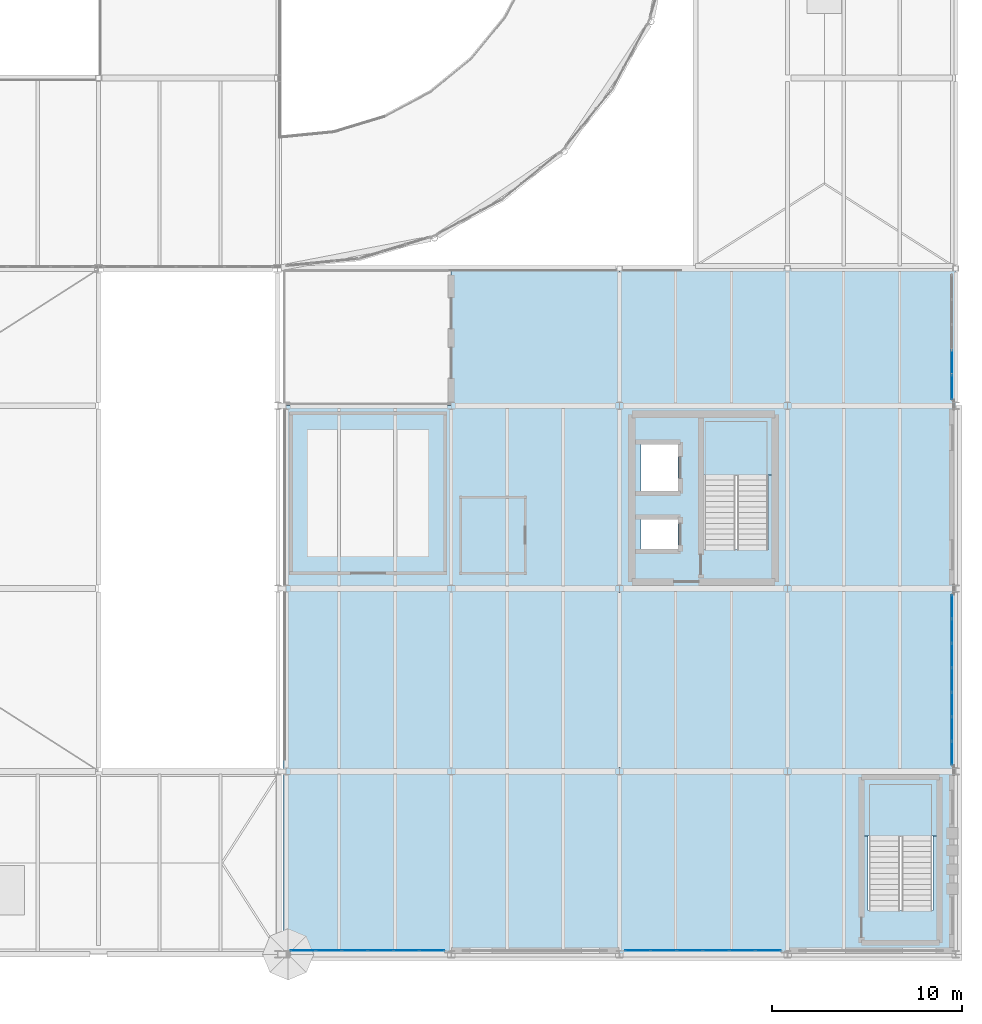
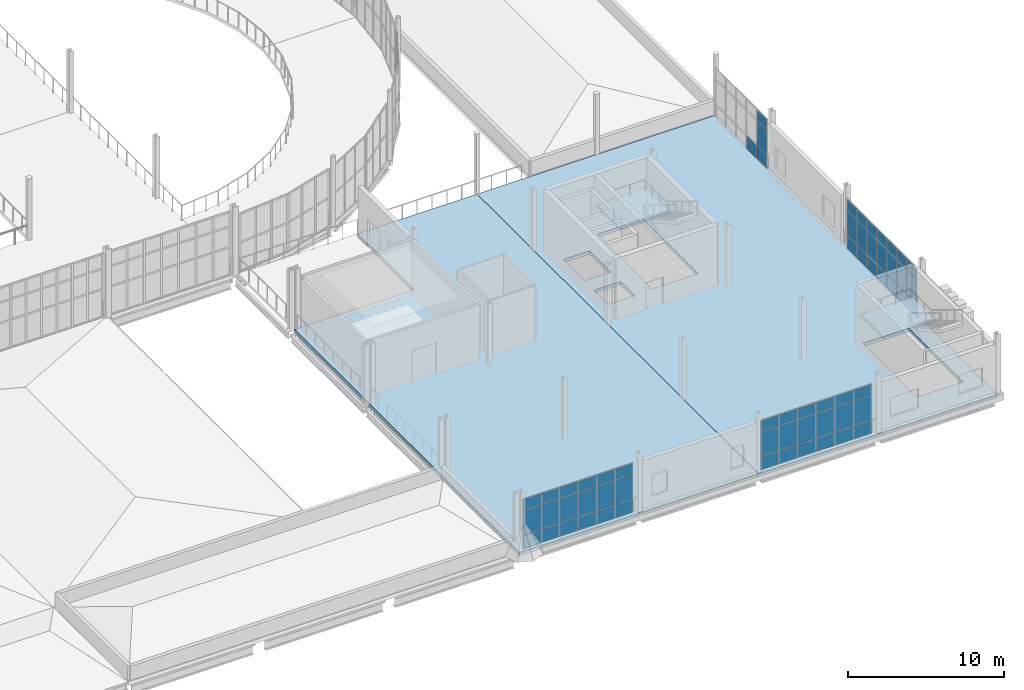
# One storey, part 83 of 112: 61 plates, 4 slabs, 6 elements without a shape of their own.
"""IFC4 building model written with IfcOpenShell, lengths in metres."""

from ifc_helpers import new_model, si_unit, direction, frame, origin, origin_2d, place, context, subcontext, project, spatial, polyline, rectangle, outline, extrude, material, layer, layer_set, type_object, element, aggregate, save


model = new_model("IFC4")

# Units and contexts
model_context = context("Model", 3, precision=1e-05, world=origin(), true_north=direction((0.0, 1.0)))
body_context = subcontext(model_context, "Body", "Model", "MODEL_VIEW")
ifc_project = project(units=[si_unit("LENGTHUNIT", "METRE"), si_unit("AREAUNIT", "SQUARE_METRE"), si_unit("VOLUMEUNIT", "CUBIC_METRE"), si_unit("PLANEANGLEUNIT", "RADIAN"), si_unit("MASSUNIT", "GRAM", prefix="KILO")], contexts=[model_context])

# Site, building, storey
site_placement = place(None, origin())
site = spatial("IfcSite", under=ifc_project, at=site_placement, CompositionType="ELEMENT")
building_placement = place(site_placement, origin())
building = spatial("IfcBuilding", under=site, at=building_placement, Name="Yeouljin Market Hall", CompositionType="ELEMENT")
storey_placement = place(building_placement, frame((0.0, 0.0, 6.0)))
storey = spatial("IfcBuildingStorey", under=building, at=storey_placement, Name="L01", CompositionType="ELEMENT", Elevation=6.0)

# Curtain wall, plates
ifc_material_1 = material(Name="Thermally Broken Aluminium", Category="aluminium")
ifc_layer_1 = layer(ifc_material_1, 0.14990234375)
ifc_layer_set_1 = layer_set([ifc_layer_1], Name="Thermally Broken Aluminium")
curtain_wall_type = type_object("IfcCurtainWallType", Name="CW_AcademyRibbon_System", PredefinedType="USERDEFINED", material=ifc_layer_set_1)
curtain_wall_1_placement = place(storey_placement, origin())
curtain_wall_1 = element("IfcCurtainWall", 1, at=curtain_wall_1_placement, inside=storey, type_object=curtain_wall_type, Name="Curtain wall CW-L01-W12", ObjectType="CURTAIN WALL", PredefinedType="USERDEFINED")
ifc_material_2 = material(Name="Anodised Bronze Spandrel Panel")
ifc_layer_2 = layer(ifc_material_2, 0.0439453125)
ifc_layer_set_2 = layer_set([ifc_layer_2], Name="Anodised Bronze Spandrel Panel")
plate_type_1 = type_object("IfcPlateType", Name="CWPanel_BronzeSpandrel_44", PredefinedType="CURTAIN_PANEL", material=ifc_layer_set_2)
plate_1_placement = place(storey_placement, frame((148.908935546875, 0.199951171875, 0.0478515625), z_axis=(0.0, 0.0, 1.0), x_axis=(-1.0, 0.0, 0.0)))
plate_1 = element("IfcPlate", 2, at=plate_1_placement, type_object=plate_type_1, Name="CW-05 panel 1.1", PredefinedType="CURTAIN_PANEL", context=body_context, shape_type="SweptSolid", body=[
    extrude(rectangle(XDim=1.286376953125, YDim=0.0439453125, at=origin_2d()), origin(), (0.0, 0.0, 1.0), 1.028076171875),
])
plate_2_placement = place(storey_placement, frame((148.908935546875, 0.199951171875, 1.1240234375), z_axis=(0.0, 0.0, 1.0), x_axis=(-1.0, 0.0, 0.0)))
plate_2 = element("IfcPlate", 3, at=plate_2_placement, type_object=plate_type_1, Name="CW-05 panel 1.2", PredefinedType="CURTAIN_PANEL", context=body_context, shape_type="SweptSolid", body=[
    extrude(rectangle(XDim=1.286376953125, YDim=0.0439453125, at=origin_2d()), origin(), (0.0, 0.0, 1.0), 1.902099609375),
])
plate_3_placement = place(storey_placement, frame((148.908935546875, 0.199951171875, 3.07421875), z_axis=(0.0, 0.0, 1.0), x_axis=(-1.0, 0.0, 0.0)))
plate_3 = element("IfcPlate", 4, at=plate_3_placement, type_object=plate_type_1, Name="CW-05 panel 1.3", PredefinedType="CURTAIN_PANEL", context=body_context, shape_type="SweptSolid", body=[
    extrude(rectangle(XDim=1.286376953125, YDim=0.0439453125, at=origin_2d()), origin(), (0.0, 0.0, 1.0), 0.827880859375),
])
plate_4_placement = place(storey_placement, frame((147.5625, 0.199951171875, 0.0478515625), z_axis=(0.0, 0.0, 1.0), x_axis=(-1.0, 0.0, 0.0)))
plate_4 = element("IfcPlate", 5, at=plate_4_placement, type_object=plate_type_1, Name="CW-05 panel 2.1", PredefinedType="CURTAIN_PANEL", context=body_context, shape_type="SweptSolid", body=[
    extrude(rectangle(XDim=1.310302734375, YDim=0.0439453125, at=origin_2d()), origin(), (0.0, 0.0, 1.0), 1.028076171875),
])
plate_5_placement = place(storey_placement, frame((147.5625, 0.199951171875, 1.1240234375), z_axis=(0.0, 0.0, 1.0), x_axis=(-1.0, 0.0, 0.0)))
plate_5 = element("IfcPlate", 6, at=plate_5_placement, type_object=plate_type_1, Name="CW-05 panel 2.2", PredefinedType="CURTAIN_PANEL", context=body_context, shape_type="SweptSolid", body=[
    extrude(rectangle(XDim=1.310302734375, YDim=0.0439453125, at=origin_2d()), origin(), (0.0, 0.0, 1.0), 1.902099609375),
])
plate_6_placement = place(storey_placement, frame((147.5625, 0.199951171875, 3.07421875), z_axis=(0.0, 0.0, 1.0), x_axis=(-1.0, 0.0, 0.0)))
plate_6 = element("IfcPlate", 7, at=plate_6_placement, type_object=plate_type_1, Name="CW-05 panel 2.3", PredefinedType="CURTAIN_PANEL", context=body_context, shape_type="SweptSolid", body=[
    extrude(rectangle(XDim=1.310302734375, YDim=0.0439453125, at=origin_2d()), origin(), (0.0, 0.0, 1.0), 0.827880859375),
])
plate_7_placement = place(storey_placement, frame((146.2041015625, 0.199951171875, 0.0478515625), z_axis=(0.0, 0.0, 1.0), x_axis=(-1.0, 0.0, 0.0)))
plate_7 = element("IfcPlate", 8, at=plate_7_placement, type_object=plate_type_1, Name="CW-05 panel 3.1", PredefinedType="CURTAIN_PANEL", context=body_context, shape_type="SweptSolid", body=[
    extrude(rectangle(XDim=1.310302734375, YDim=0.0439453125, at=origin_2d()), origin(), (0.0, 0.0, 1.0), 1.028076171875),
])
plate_8_placement = place(storey_placement, frame((146.2041015625, 0.199951171875, 1.1240234375), z_axis=(0.0, 0.0, 1.0), x_axis=(-1.0, 0.0, 0.0)))
plate_8 = element("IfcPlate", 9, at=plate_8_placement, type_object=plate_type_1, Name="CW-05 panel 3.2", PredefinedType="CURTAIN_PANEL", context=body_context, shape_type="SweptSolid", body=[
    extrude(rectangle(XDim=1.310302734375, YDim=0.0439453125, at=origin_2d()), origin(), (0.0, 0.0, 1.0), 1.902099609375),
])
plate_9_placement = place(storey_placement, frame((146.2041015625, 0.199951171875, 3.07421875), z_axis=(0.0, 0.0, 1.0), x_axis=(-1.0, 0.0, 0.0)))
plate_9 = element("IfcPlate", 10, at=plate_9_placement, type_object=plate_type_1, Name="CW-05 panel 3.3", PredefinedType="CURTAIN_PANEL", context=body_context, shape_type="SweptSolid", body=[
    extrude(rectangle(XDim=1.310302734375, YDim=0.0439453125, at=origin_2d()), origin(), (0.0, 0.0, 1.0), 0.827880859375),
])
plate_10_placement = place(storey_placement, frame((144.845947265625, 0.199951171875, 0.0478515625), z_axis=(0.0, 0.0, 1.0), x_axis=(-1.0, 0.0, 0.0)))
plate_10 = element("IfcPlate", 11, at=plate_10_placement, type_object=plate_type_1, Name="CW-05 panel 4.1", PredefinedType="CURTAIN_PANEL", context=body_context, shape_type="SweptSolid", body=[
    extrude(rectangle(XDim=1.310302734375, YDim=0.0439453125, at=origin_2d()), origin(), (0.0, 0.0, 1.0), 1.028076171875),
])
plate_11_placement = place(storey_placement, frame((144.845947265625, 0.199951171875, 1.1240234375), z_axis=(0.0, 0.0, 1.0), x_axis=(-1.0, 0.0, 0.0)))
plate_11 = element("IfcPlate", 12, at=plate_11_placement, type_object=plate_type_1, Name="CW-05 panel 4.2", PredefinedType="CURTAIN_PANEL", context=body_context, shape_type="SweptSolid", body=[
    extrude(rectangle(XDim=1.310302734375, YDim=0.0439453125, at=origin_2d()), origin(), (0.0, 0.0, 1.0), 1.902099609375),
])
plate_12_placement = place(storey_placement, frame((144.845947265625, 0.199951171875, 3.07421875), z_axis=(0.0, 0.0, 1.0), x_axis=(-1.0, 0.0, 0.0)))
plate_12 = element("IfcPlate", 13, at=plate_12_placement, type_object=plate_type_1, Name="CW-05 panel 4.3", PredefinedType="CURTAIN_PANEL", context=body_context, shape_type="SweptSolid", body=[
    extrude(rectangle(XDim=1.310302734375, YDim=0.0439453125, at=origin_2d()), origin(), (0.0, 0.0, 1.0), 0.827880859375),
])
plate_13_placement = place(storey_placement, frame((143.487548828125, 0.199951171875, 0.0478515625), z_axis=(0.0, 0.0, 1.0), x_axis=(-1.0, 0.0, 0.0)))
plate_13 = element("IfcPlate", 14, at=plate_13_placement, type_object=plate_type_1, Name="CW-05 panel 5.1", PredefinedType="CURTAIN_PANEL", context=body_context, shape_type="SweptSolid", body=[
    extrude(rectangle(XDim=1.310302734375, YDim=0.0439453125, at=origin_2d()), origin(), (0.0, 0.0, 1.0), 1.028076171875),
])
plate_14_placement = place(storey_placement, frame((143.487548828125, 0.199951171875, 1.1240234375), z_axis=(0.0, 0.0, 1.0), x_axis=(-1.0, 0.0, 0.0)))
plate_14 = element("IfcPlate", 15, at=plate_14_placement, type_object=plate_type_1, Name="CW-05 panel 5.2", PredefinedType="CURTAIN_PANEL", context=body_context, shape_type="SweptSolid", body=[
    extrude(rectangle(XDim=1.310302734375, YDim=0.0439453125, at=origin_2d()), origin(), (0.0, 0.0, 1.0), 1.902099609375),
])
plate_15_placement = place(storey_placement, frame((143.487548828125, 0.199951171875, 3.07421875), z_axis=(0.0, 0.0, 1.0), x_axis=(-1.0, 0.0, 0.0)))
plate_15 = element("IfcPlate", 16, at=plate_15_placement, type_object=plate_type_1, Name="CW-05 panel 5.3", PredefinedType="CURTAIN_PANEL", context=body_context, shape_type="SweptSolid", body=[
    extrude(rectangle(XDim=1.310302734375, YDim=0.0439453125, at=origin_2d()), origin(), (0.0, 0.0, 1.0), 0.827880859375),
])
plate_16_placement = place(storey_placement, frame((142.14111328125, 0.199951171875, 0.0478515625), z_axis=(0.0, 0.0, 1.0), x_axis=(-1.0, 0.0, 0.0)))
plate_16 = element("IfcPlate", 17, at=plate_16_placement, type_object=plate_type_1, Name="CW-05 panel 6.1", PredefinedType="CURTAIN_PANEL", context=body_context, shape_type="SweptSolid", body=[
    extrude(rectangle(XDim=1.286376953125, YDim=0.0439453125, at=origin_2d()), origin(), (0.0, 0.0, 1.0), 1.028076171875),
])
plate_17_placement = place(storey_placement, frame((142.14111328125, 0.199951171875, 1.1240234375), z_axis=(0.0, 0.0, 1.0), x_axis=(-1.0, 0.0, 0.0)))
plate_17 = element("IfcPlate", 18, at=plate_17_placement, type_object=plate_type_1, Name="CW-05 panel 6.2", PredefinedType="CURTAIN_PANEL", context=body_context, shape_type="SweptSolid", body=[
    extrude(rectangle(XDim=1.286376953125, YDim=0.0439453125, at=origin_2d()), origin(), (0.0, 0.0, 1.0), 1.902099609375),
])
plate_18_placement = place(storey_placement, frame((142.14111328125, 0.199951171875, 3.07421875), z_axis=(0.0, 0.0, 1.0), x_axis=(-1.0, 0.0, 0.0)))
plate_18 = element("IfcPlate", 19, at=plate_18_placement, type_object=plate_type_1, Name="CW-05 panel 6.3", PredefinedType="CURTAIN_PANEL", context=body_context, shape_type="SweptSolid", body=[
    extrude(rectangle(XDim=1.286376953125, YDim=0.0439453125, at=origin_2d()), origin(), (0.0, 0.0, 1.0), 0.827880859375),
])
aggregate(curtain_wall_1, [plate_1, plate_2, plate_3, plate_4, plate_5, plate_6, plate_7, plate_8, plate_9, plate_10, plate_11, plate_12, plate_13, plate_14, plate_15, plate_16, plate_17, plate_18])

curtain_wall_2_placement = place(storey_placement, origin())
curtain_wall_2 = element("IfcCurtainWall", 20, at=curtain_wall_2_placement, inside=storey, type_object=curtain_wall_type, Name="Curtain wall CW-L01-W10", ObjectType="CURTAIN WALL", PredefinedType="USERDEFINED")
ifc_material_3 = material(Name="Low-E Insulated Glass", Category="glass")
ifc_layer_3 = layer(ifc_material_3, 0.028076171875)
ifc_layer_set_3 = layer_set([ifc_layer_3], Name="Low-E Insulated Glass")
plate_type_2 = type_object("IfcPlateType", Name="CWPanel_LowE_28", PredefinedType="CURTAIN_PANEL", material=ifc_layer_set_3)
plate_19_placement = place(storey_placement, frame((166.550537109375, 0.199951171875, 0.0478515625), z_axis=(0.0, 0.0, 1.0), x_axis=(-1.0, 0.0, 0.0)))
plate_19 = element("IfcPlate", 21, at=plate_19_placement, type_object=plate_type_2, Name="CW-05 panel 1.1", PredefinedType="CURTAIN_PANEL", context=body_context, shape_type="SweptSolid", body=[
    extrude(rectangle(XDim=1.302978515625, YDim=0.028076171875, at=origin_2d()), origin(), (0.0, 0.0, 1.0), 1.028076171875),
])
plate_20_placement = place(storey_placement, frame((166.550537109375, 0.199951171875, 1.1240234375), z_axis=(0.0, 0.0, 1.0), x_axis=(-1.0, 0.0, 0.0)))
plate_20 = element("IfcPlate", 22, at=plate_20_placement, type_object=plate_type_2, Name="CW-05 panel 1.2", PredefinedType="CURTAIN_PANEL", context=body_context, shape_type="SweptSolid", body=[
    extrude(rectangle(XDim=1.302978515625, YDim=0.028076171875, at=origin_2d()), origin(), (0.0, 0.0, 1.0), 1.902099609375),
])
plate_21_placement = place(storey_placement, frame((166.550537109375, 0.199951171875, 3.07421875), z_axis=(0.0, 0.0, 1.0), x_axis=(-1.0, 0.0, 0.0)))
plate_21 = element("IfcPlate", 23, at=plate_21_placement, type_object=plate_type_2, Name="CW-05 panel 1.3", PredefinedType="CURTAIN_PANEL", context=body_context, shape_type="SweptSolid", body=[
    extrude(rectangle(XDim=1.302978515625, YDim=0.028076171875, at=origin_2d()), origin(), (0.0, 0.0, 1.0), 0.827880859375),
])
plate_22_placement = place(storey_placement, frame((165.1875, 0.199951171875, 0.0478515625), z_axis=(0.0, 0.0, 1.0), x_axis=(-1.0, 0.0, 0.0)))
plate_22 = element("IfcPlate", 24, at=plate_22_placement, type_object=plate_type_2, Name="CW-05 panel 2.1", PredefinedType="CURTAIN_PANEL", context=body_context, shape_type="SweptSolid", body=[
    extrude(rectangle(XDim=1.326904296875, YDim=0.028076171875, at=origin_2d()), origin(), (0.0, 0.0, 1.0), 1.028076171875),
])
plate_23_placement = place(storey_placement, frame((165.1875, 0.199951171875, 1.1240234375), z_axis=(0.0, 0.0, 1.0), x_axis=(-1.0, 0.0, 0.0)))
plate_23 = element("IfcPlate", 25, at=plate_23_placement, type_object=plate_type_2, Name="CW-05 panel 2.2", PredefinedType="CURTAIN_PANEL", context=body_context, shape_type="SweptSolid", body=[
    extrude(rectangle(XDim=1.326904296875, YDim=0.028076171875, at=origin_2d()), origin(), (0.0, 0.0, 1.0), 1.902099609375),
])
plate_24_placement = place(storey_placement, frame((165.1875, 0.199951171875, 3.07421875), z_axis=(0.0, 0.0, 1.0), x_axis=(-1.0, 0.0, 0.0)))
plate_24 = element("IfcPlate", 26, at=plate_24_placement, type_object=plate_type_2, Name="CW-05 panel 2.3", PredefinedType="CURTAIN_PANEL", context=body_context, shape_type="SweptSolid", body=[
    extrude(rectangle(XDim=1.326904296875, YDim=0.028076171875, at=origin_2d()), origin(), (0.0, 0.0, 1.0), 0.827880859375),
])
plate_25_placement = place(storey_placement, frame((163.8125, 0.199951171875, 0.0478515625), z_axis=(0.0, 0.0, 1.0), x_axis=(-1.0, 0.0, 0.0)))
plate_25 = element("IfcPlate", 27, at=plate_25_placement, type_object=plate_type_2, Name="CW-05 panel 3.1", PredefinedType="CURTAIN_PANEL", context=body_context, shape_type="SweptSolid", body=[
    extrude(rectangle(XDim=1.326904296875, YDim=0.028076171875, at=origin_2d()), origin(), (0.0, 0.0, 1.0), 1.028076171875),
])
plate_26_placement = place(storey_placement, frame((163.8125, 0.199951171875, 1.1240234375), z_axis=(0.0, 0.0, 1.0), x_axis=(-1.0, 0.0, 0.0)))
plate_26 = element("IfcPlate", 28, at=plate_26_placement, type_object=plate_type_2, Name="CW-05 panel 3.2", PredefinedType="CURTAIN_PANEL", context=body_context, shape_type="SweptSolid", body=[
    extrude(rectangle(XDim=1.326904296875, YDim=0.028076171875, at=origin_2d()), origin(), (0.0, 0.0, 1.0), 1.902099609375),
])
plate_27_placement = place(storey_placement, frame((163.8125, 0.199951171875, 3.07421875), z_axis=(0.0, 0.0, 1.0), x_axis=(-1.0, 0.0, 0.0)))
plate_27 = element("IfcPlate", 29, at=plate_27_placement, type_object=plate_type_2, Name="CW-05 panel 3.3", PredefinedType="CURTAIN_PANEL", context=body_context, shape_type="SweptSolid", body=[
    extrude(rectangle(XDim=1.326904296875, YDim=0.028076171875, at=origin_2d()), origin(), (0.0, 0.0, 1.0), 0.827880859375),
])
plate_28_placement = place(storey_placement, frame((162.4375, 0.199951171875, 0.0478515625), z_axis=(0.0, 0.0, 1.0), x_axis=(-1.0, 0.0, 0.0)))
plate_28 = element("IfcPlate", 30, at=plate_28_placement, type_object=plate_type_2, Name="CW-05 panel 4.1", PredefinedType="CURTAIN_PANEL", context=body_context, shape_type="SweptSolid", body=[
    extrude(rectangle(XDim=1.326904296875, YDim=0.028076171875, at=origin_2d()), origin(), (0.0, 0.0, 1.0), 1.028076171875),
])
plate_29_placement = place(storey_placement, frame((162.4375, 0.199951171875, 1.1240234375), z_axis=(0.0, 0.0, 1.0), x_axis=(-1.0, 0.0, 0.0)))
plate_29 = element("IfcPlate", 31, at=plate_29_placement, type_object=plate_type_2, Name="CW-05 panel 4.2", PredefinedType="CURTAIN_PANEL", context=body_context, shape_type="SweptSolid", body=[
    extrude(rectangle(XDim=1.326904296875, YDim=0.028076171875, at=origin_2d()), origin(), (0.0, 0.0, 1.0), 1.902099609375),
])
plate_30_placement = place(storey_placement, frame((162.4375, 0.199951171875, 3.07421875), z_axis=(0.0, 0.0, 1.0), x_axis=(-1.0, 0.0, 0.0)))
plate_30 = element("IfcPlate", 32, at=plate_30_placement, type_object=plate_type_2, Name="CW-05 panel 4.3", PredefinedType="CURTAIN_PANEL", context=body_context, shape_type="SweptSolid", body=[
    extrude(rectangle(XDim=1.326904296875, YDim=0.028076171875, at=origin_2d()), origin(), (0.0, 0.0, 1.0), 0.827880859375),
])
plate_31_placement = place(storey_placement, frame((161.0625, 0.199951171875, 0.0478515625), z_axis=(0.0, 0.0, 1.0), x_axis=(-1.0, 0.0, 0.0)))
plate_31 = element("IfcPlate", 33, at=plate_31_placement, type_object=plate_type_2, Name="CW-05 panel 5.1", PredefinedType="CURTAIN_PANEL", context=body_context, shape_type="SweptSolid", body=[
    extrude(rectangle(XDim=1.326904296875, YDim=0.028076171875, at=origin_2d()), origin(), (0.0, 0.0, 1.0), 1.028076171875),
])
plate_32_placement = place(storey_placement, frame((161.0625, 0.199951171875, 1.1240234375), z_axis=(0.0, 0.0, 1.0), x_axis=(-1.0, 0.0, 0.0)))
plate_32 = element("IfcPlate", 34, at=plate_32_placement, type_object=plate_type_2, Name="CW-05 panel 5.2", PredefinedType="CURTAIN_PANEL", context=body_context, shape_type="SweptSolid", body=[
    extrude(rectangle(XDim=1.326904296875, YDim=0.028076171875, at=origin_2d()), origin(), (0.0, 0.0, 1.0), 1.902099609375),
])
plate_33_placement = place(storey_placement, frame((161.0625, 0.199951171875, 3.07421875), z_axis=(0.0, 0.0, 1.0), x_axis=(-1.0, 0.0, 0.0)))
plate_33 = element("IfcPlate", 35, at=plate_33_placement, type_object=plate_type_2, Name="CW-05 panel 5.3", PredefinedType="CURTAIN_PANEL", context=body_context, shape_type="SweptSolid", body=[
    extrude(rectangle(XDim=1.326904296875, YDim=0.028076171875, at=origin_2d()), origin(), (0.0, 0.0, 1.0), 0.827880859375),
])
plate_34_placement = place(storey_placement, frame((159.699462890625, 0.199951171875, 0.0478515625), z_axis=(0.0, 0.0, 1.0), x_axis=(-1.0, 0.0, 0.0)))
plate_34 = element("IfcPlate", 36, at=plate_34_placement, type_object=plate_type_2, Name="CW-05 panel 6.1", PredefinedType="CURTAIN_PANEL", context=body_context, shape_type="SweptSolid", body=[
    extrude(rectangle(XDim=1.302978515625, YDim=0.028076171875, at=origin_2d()), origin(), (0.0, 0.0, 1.0), 1.028076171875),
])
plate_35_placement = place(storey_placement, frame((159.699462890625, 0.199951171875, 1.1240234375), z_axis=(0.0, 0.0, 1.0), x_axis=(-1.0, 0.0, 0.0)))
plate_35 = element("IfcPlate", 37, at=plate_35_placement, type_object=plate_type_2, Name="CW-05 panel 6.2", PredefinedType="CURTAIN_PANEL", context=body_context, shape_type="SweptSolid", body=[
    extrude(rectangle(XDim=1.302978515625, YDim=0.028076171875, at=origin_2d()), origin(), (0.0, 0.0, 1.0), 1.902099609375),
])
plate_36_placement = place(storey_placement, frame((159.699462890625, 0.199951171875, 3.07421875), z_axis=(0.0, 0.0, 1.0), x_axis=(-1.0, 0.0, 0.0)))
plate_36 = element("IfcPlate", 38, at=plate_36_placement, type_object=plate_type_2, Name="CW-05 panel 6.3", PredefinedType="CURTAIN_PANEL", context=body_context, shape_type="SweptSolid", body=[
    extrude(rectangle(XDim=1.302978515625, YDim=0.028076171875, at=origin_2d()), origin(), (0.0, 0.0, 1.0), 0.827880859375),
])
aggregate(curtain_wall_2, [plate_19, plate_20, plate_21, plate_22, plate_23, plate_24, plate_25, plate_26, plate_27, plate_28, plate_29, plate_30, plate_31, plate_32, plate_33, plate_34, plate_35, plate_36])

curtain_wall_3_placement = place(storey_placement, origin())
curtain_wall_3 = element("IfcCurtainWall", 39, at=curtain_wall_3_placement, inside=storey, type_object=curtain_wall_type, Name="Curtain wall CW-L01-W13", ObjectType="CURTAIN WALL", PredefinedType="USERDEFINED")
plate_37_placement = place(storey_placement, frame((176.199951171875, 31.080078125, 0.0478515625), z_axis=(0.0, 0.0, 1.0), x_axis=(0.0, -1.0, 0.0)))
plate_37 = element("IfcPlate", 40, at=plate_37_placement, type_object=plate_type_2, Name="CW-05 panel 4.1", PredefinedType="CURTAIN_PANEL", context=body_context, shape_type="SweptSolid", body=[
    extrude(rectangle(XDim=1.27197265625, YDim=0.028076171875, at=origin_2d()), origin(), (0.0, 0.0, 1.0), 1.028076171875),
])
plate_38_placement = place(storey_placement, frame((176.199951171875, 29.77197265625, 0.0478515625), z_axis=(0.0, 0.0, 1.0), x_axis=(0.0, -1.0, 0.0)))
plate_38 = element("IfcPlate", 41, at=plate_38_placement, type_object=plate_type_2, Name="CW-05 panel 5.1", PredefinedType="CURTAIN_PANEL", context=body_context, shape_type="SweptSolid", body=[
    extrude(rectangle(XDim=1.248046875, YDim=0.028076171875, at=origin_2d()), origin(), (0.0, 0.0, 1.0), 1.028076171875),
])
plate_39_placement = place(storey_placement, frame((176.199951171875, 29.77197265625, 1.1240234375), z_axis=(0.0, 0.0, 1.0), x_axis=(0.0, -1.0, 0.0)))
plate_39 = element("IfcPlate", 42, at=plate_39_placement, type_object=plate_type_2, Name="CW-05 panel 5.2", PredefinedType="CURTAIN_PANEL", context=body_context, shape_type="SweptSolid", body=[
    extrude(rectangle(XDim=1.248046875, YDim=0.028076171875, at=origin_2d()), origin(), (0.0, 0.0, 1.0), 1.902099609375),
])
plate_40_placement = place(storey_placement, frame((176.199951171875, 29.77197265625, 3.07421875), z_axis=(0.0, 0.0, 1.0), x_axis=(0.0, -1.0, 0.0)))
plate_40 = element("IfcPlate", 43, at=plate_40_placement, type_object=plate_type_2, Name="CW-05 panel 5.3", PredefinedType="CURTAIN_PANEL", context=body_context, shape_type="SweptSolid", body=[
    extrude(rectangle(XDim=1.248046875, YDim=0.028076171875, at=origin_2d()), origin(), (0.0, 0.0, 1.0), 0.827880859375),
])
aggregate(curtain_wall_3, [plate_37, plate_38, plate_39, plate_40])

curtain_wall_4_placement = place(storey_placement, origin())
curtain_wall_4 = element("IfcCurtainWall", 44, at=curtain_wall_4_placement, inside=storey, type_object=curtain_wall_type, Name="Curtain wall CW-L01-W15", ObjectType="CURTAIN WALL", PredefinedType="USERDEFINED")
plate_41_placement = place(storey_placement, frame((176.199951171875, 18.2451171875, 0.0478515625), z_axis=(0.0, 0.0, 1.0), x_axis=(0.0, -1.0, 0.0)))
plate_41 = element("IfcPlate", 45, at=plate_41_placement, type_object=plate_type_2, Name="CW-05 panel 1.1", PredefinedType="CURTAIN_PANEL", context=body_context, shape_type="SweptSolid", body=[
    extrude(rectangle(XDim=1.213623046875, YDim=0.028076171875, at=origin_2d()), origin(), (0.0, 0.0, 1.0), 1.028076171875),
])
plate_42_placement = place(storey_placement, frame((176.199951171875, 18.2451171875, 1.1240234375), z_axis=(0.0, 0.0, 1.0), x_axis=(0.0, -1.0, 0.0)))
plate_42 = element("IfcPlate", 46, at=plate_42_placement, type_object=plate_type_2, Name="CW-05 panel 1.2", PredefinedType="CURTAIN_PANEL", context=body_context, shape_type="SweptSolid", body=[
    extrude(rectangle(XDim=1.213623046875, YDim=0.028076171875, at=origin_2d()), origin(), (0.0, 0.0, 1.0), 1.902099609375),
])
plate_43_placement = place(storey_placement, frame((176.199951171875, 18.2451171875, 3.07421875), z_axis=(0.0, 0.0, 1.0), x_axis=(0.0, -1.0, 0.0)))
plate_43 = element("IfcPlate", 47, at=plate_43_placement, type_object=plate_type_2, Name="CW-05 panel 1.3", PredefinedType="CURTAIN_PANEL", context=body_context, shape_type="SweptSolid", body=[
    extrude(rectangle(XDim=1.213623046875, YDim=0.028076171875, at=origin_2d()), origin(), (0.0, 0.0, 1.0), 0.827880859375),
])
plate_44_placement = place(storey_placement, frame((176.199951171875, 16.971435546875, 0.0478515625), z_axis=(0.0, 0.0, 1.0), x_axis=(0.0, -1.0, 0.0)))
plate_44 = element("IfcPlate", 48, at=plate_44_placement, type_object=plate_type_2, Name="CW-05 panel 2.1", PredefinedType="CURTAIN_PANEL", context=body_context, shape_type="SweptSolid", body=[
    extrude(rectangle(XDim=1.23779296875, YDim=0.028076171875, at=origin_2d()), origin(), (0.0, 0.0, 1.0), 1.028076171875),
])
plate_45_placement = place(storey_placement, frame((176.199951171875, 16.971435546875, 1.1240234375), z_axis=(0.0, 0.0, 1.0), x_axis=(0.0, -1.0, 0.0)))
plate_45 = element("IfcPlate", 49, at=plate_45_placement, type_object=plate_type_2, Name="CW-05 panel 2.2", PredefinedType="CURTAIN_PANEL", context=body_context, shape_type="SweptSolid", body=[
    extrude(rectangle(XDim=1.23779296875, YDim=0.028076171875, at=origin_2d()), origin(), (0.0, 0.0, 1.0), 1.902099609375),
])
plate_46_placement = place(storey_placement, frame((176.199951171875, 16.971435546875, 3.07421875), z_axis=(0.0, 0.0, 1.0), x_axis=(0.0, -1.0, 0.0)))
plate_46 = element("IfcPlate", 50, at=plate_46_placement, type_object=plate_type_2, Name="CW-05 panel 2.3", PredefinedType="CURTAIN_PANEL", context=body_context, shape_type="SweptSolid", body=[
    extrude(rectangle(XDim=1.23779296875, YDim=0.028076171875, at=origin_2d()), origin(), (0.0, 0.0, 1.0), 0.827880859375),
])
plate_47_placement = place(storey_placement, frame((176.199951171875, 15.685791015625, 0.0478515625), z_axis=(0.0, 0.0, 1.0), x_axis=(0.0, -1.0, 0.0)))
plate_47 = element("IfcPlate", 51, at=plate_47_placement, type_object=plate_type_2, Name="CW-05 panel 3.1", PredefinedType="CURTAIN_PANEL", context=body_context, shape_type="SweptSolid", body=[
    extrude(rectangle(XDim=1.23779296875, YDim=0.028076171875, at=origin_2d()), origin(), (0.0, 0.0, 1.0), 1.028076171875),
])
plate_48_placement = place(storey_placement, frame((176.199951171875, 15.685791015625, 1.1240234375), z_axis=(0.0, 0.0, 1.0), x_axis=(0.0, -1.0, 0.0)))
plate_48 = element("IfcPlate", 52, at=plate_48_placement, type_object=plate_type_2, Name="CW-05 panel 3.2", PredefinedType="CURTAIN_PANEL", context=body_context, shape_type="SweptSolid", body=[
    extrude(rectangle(XDim=1.23779296875, YDim=0.028076171875, at=origin_2d()), origin(), (0.0, 0.0, 1.0), 1.902099609375),
])
plate_49_placement = place(storey_placement, frame((176.199951171875, 15.685791015625, 3.07421875), z_axis=(0.0, 0.0, 1.0), x_axis=(0.0, -1.0, 0.0)))
plate_49 = element("IfcPlate", 53, at=plate_49_placement, type_object=plate_type_2, Name="CW-05 panel 3.3", PredefinedType="CURTAIN_PANEL", context=body_context, shape_type="SweptSolid", body=[
    extrude(rectangle(XDim=1.23779296875, YDim=0.028076171875, at=origin_2d()), origin(), (0.0, 0.0, 1.0), 0.827880859375),
])
plate_50_placement = place(storey_placement, frame((176.199951171875, 14.39990234375, 0.0478515625), z_axis=(0.0, 0.0, 1.0), x_axis=(0.0, -1.0, 0.0)))
plate_50 = element("IfcPlate", 54, at=plate_50_placement, type_object=plate_type_2, Name="CW-05 panel 4.1", PredefinedType="CURTAIN_PANEL", context=body_context, shape_type="SweptSolid", body=[
    extrude(rectangle(XDim=1.23779296875, YDim=0.028076171875, at=origin_2d()), origin(), (0.0, 0.0, 1.0), 1.028076171875),
])
plate_51_placement = place(storey_placement, frame((176.199951171875, 14.39990234375, 1.1240234375), z_axis=(0.0, 0.0, 1.0), x_axis=(0.0, -1.0, 0.0)))
plate_51 = element("IfcPlate", 55, at=plate_51_placement, type_object=plate_type_2, Name="CW-05 panel 4.2", PredefinedType="CURTAIN_PANEL", context=body_context, shape_type="SweptSolid", body=[
    extrude(rectangle(XDim=1.23779296875, YDim=0.028076171875, at=origin_2d()), origin(), (0.0, 0.0, 1.0), 1.902099609375),
])
plate_52_placement = place(storey_placement, frame((176.199951171875, 14.39990234375, 3.07421875), z_axis=(0.0, 0.0, 1.0), x_axis=(0.0, -1.0, 0.0)))
plate_52 = element("IfcPlate", 56, at=plate_52_placement, type_object=plate_type_2, Name="CW-05 panel 4.3", PredefinedType="CURTAIN_PANEL", context=body_context, shape_type="SweptSolid", body=[
    extrude(rectangle(XDim=1.23779296875, YDim=0.028076171875, at=origin_2d()), origin(), (0.0, 0.0, 1.0), 0.827880859375),
])
plate_53_placement = place(storey_placement, frame((176.199951171875, 13.1142578125, 0.0478515625), z_axis=(0.0, 0.0, 1.0), x_axis=(0.0, -1.0, 0.0)))
plate_53 = element("IfcPlate", 57, at=plate_53_placement, type_object=plate_type_2, Name="CW-05 panel 5.1", PredefinedType="CURTAIN_PANEL", context=body_context, shape_type="SweptSolid", body=[
    extrude(rectangle(XDim=1.23779296875, YDim=0.028076171875, at=origin_2d()), origin(), (0.0, 0.0, 1.0), 1.028076171875),
])
plate_54_placement = place(storey_placement, frame((176.199951171875, 13.1142578125, 1.1240234375), z_axis=(0.0, 0.0, 1.0), x_axis=(0.0, -1.0, 0.0)))
plate_54 = element("IfcPlate", 58, at=plate_54_placement, type_object=plate_type_2, Name="CW-05 panel 5.2", PredefinedType="CURTAIN_PANEL", context=body_context, shape_type="SweptSolid", body=[
    extrude(rectangle(XDim=1.23779296875, YDim=0.028076171875, at=origin_2d()), origin(), (0.0, 0.0, 1.0), 1.902099609375),
])
plate_55_placement = place(storey_placement, frame((176.199951171875, 13.1142578125, 3.07421875), z_axis=(0.0, 0.0, 1.0), x_axis=(0.0, -1.0, 0.0)))
plate_55 = element("IfcPlate", 59, at=plate_55_placement, type_object=plate_type_2, Name="CW-05 panel 5.3", PredefinedType="CURTAIN_PANEL", context=body_context, shape_type="SweptSolid", body=[
    extrude(rectangle(XDim=1.23779296875, YDim=0.028076171875, at=origin_2d()), origin(), (0.0, 0.0, 1.0), 0.827880859375),
])
plate_56_placement = place(storey_placement, frame((176.199951171875, 11.82861328125, 0.0478515625), z_axis=(0.0, 0.0, 1.0), x_axis=(0.0, -1.0, 0.0)))
plate_56 = element("IfcPlate", 60, at=plate_56_placement, type_object=plate_type_2, Name="CW-05 panel 6.1", PredefinedType="CURTAIN_PANEL", context=body_context, shape_type="SweptSolid", body=[
    extrude(rectangle(XDim=1.23779296875, YDim=0.028076171875, at=origin_2d()), origin(), (0.0, 0.0, 1.0), 1.028076171875),
])
plate_57_placement = place(storey_placement, frame((176.199951171875, 11.82861328125, 1.1240234375), z_axis=(0.0, 0.0, 1.0), x_axis=(0.0, -1.0, 0.0)))
plate_57 = element("IfcPlate", 61, at=plate_57_placement, type_object=plate_type_2, Name="CW-05 panel 6.2", PredefinedType="CURTAIN_PANEL", context=body_context, shape_type="SweptSolid", body=[
    extrude(rectangle(XDim=1.23779296875, YDim=0.028076171875, at=origin_2d()), origin(), (0.0, 0.0, 1.0), 1.902099609375),
])
plate_58_placement = place(storey_placement, frame((176.199951171875, 11.82861328125, 3.07421875), z_axis=(0.0, 0.0, 1.0), x_axis=(0.0, -1.0, 0.0)))
plate_58 = element("IfcPlate", 62, at=plate_58_placement, type_object=plate_type_2, Name="CW-05 panel 6.3", PredefinedType="CURTAIN_PANEL", context=body_context, shape_type="SweptSolid", body=[
    extrude(rectangle(XDim=1.23779296875, YDim=0.028076171875, at=origin_2d()), origin(), (0.0, 0.0, 1.0), 0.827880859375),
])
plate_59_placement = place(storey_placement, frame((176.199951171875, 10.554931640625, 0.0478515625), z_axis=(0.0, 0.0, 1.0), x_axis=(0.0, -1.0, 0.0)))
plate_59 = element("IfcPlate", 63, at=plate_59_placement, type_object=plate_type_2, Name="CW-05 panel 7.1", PredefinedType="CURTAIN_PANEL", context=body_context, shape_type="SweptSolid", body=[
    extrude(rectangle(XDim=1.213623046875, YDim=0.028076171875, at=origin_2d()), origin(), (0.0, 0.0, 1.0), 1.028076171875),
])
plate_60_placement = place(storey_placement, frame((176.199951171875, 10.554931640625, 1.1240234375), z_axis=(0.0, 0.0, 1.0), x_axis=(0.0, -1.0, 0.0)))
plate_60 = element("IfcPlate", 64, at=plate_60_placement, type_object=plate_type_2, Name="CW-05 panel 7.2", PredefinedType="CURTAIN_PANEL", context=body_context, shape_type="SweptSolid", body=[
    extrude(rectangle(XDim=1.213623046875, YDim=0.028076171875, at=origin_2d()), origin(), (0.0, 0.0, 1.0), 1.902099609375),
])
plate_61_placement = place(storey_placement, frame((176.199951171875, 10.554931640625, 3.07421875), z_axis=(0.0, 0.0, 1.0), x_axis=(0.0, -1.0, 0.0)))
plate_61 = element("IfcPlate", 65, at=plate_61_placement, type_object=plate_type_2, Name="CW-05 panel 7.3", PredefinedType="CURTAIN_PANEL", context=body_context, shape_type="SweptSolid", body=[
    extrude(rectangle(XDim=1.213623046875, YDim=0.028076171875, at=origin_2d()), origin(), (0.0, 0.0, 1.0), 0.827880859375),
])
aggregate(curtain_wall_4, [plate_41, plate_42, plate_43, plate_44, plate_45, plate_46, plate_47, plate_48, plate_49, plate_50, plate_51, plate_52, plate_53, plate_54, plate_55, plate_56, plate_57, plate_58, plate_59, plate_60, plate_61])

# Slabs
ifc_material_4 = material(Name="Concrete C30/37", Category="concrete")
ifc_layer_4 = layer(ifc_material_4, 0.264892578125)
ifc_layer_set_4 = layer_set([ifc_layer_4], Name="Concrete C30/37")
slab_type_1 = type_object("IfcSlabType", Name="SLB_WING_220", PredefinedType="FLOOR", material=ifc_layer_set_4)
slab_1_placement = place(storey_placement, frame((0.0, 0.0, -0.264892578125)))
element("IfcSlab", 66, at=slab_1_placement, inside=storey, type_object=slab_type_1, Name="Structural slab SLB-L01-ES1", PredefinedType="FLOOR", context=body_context, shape_type="SweptSolid", body=[
    extrude(outline(polyline([(141.080078125, 0.0), (158.739990234375, 0.0), (158.739990234375, 36.0), (149.909912109375, 36.0), (149.909912109375, 28.800048828125), (141.080078125, 28.800048828125), (141.080078125, 0.0)])), origin(), (0.0, 0.0, 1.0), 0.264892578125),
])
slab_2_placement = place(storey_placement, frame((0.0, 0.0, -0.264892578125)))
element("IfcSlab", 67, at=slab_2_placement, inside=storey, type_object=slab_type_1, Name="Structural slab SLB-L01-ES2", PredefinedType="FLOOR", context=body_context, shape_type="SweptSolid", body=[
    extrude(outline(polyline([(158.739990234375, 0.0), (176.39990234375, 0.0), (176.39990234375, 36.0), (158.739990234375, 36.0), (158.739990234375, 0.0)]), holes=[polyline([(163.169921875, 21.25), (166.570068359375, 21.25), (166.570068359375, 28.27001953125), (163.169921875, 28.27001953125), (163.169921875, 21.25)]), polyline([(171.800048828125, 2.300048828125), (175.199951171875, 2.300048828125), (175.199951171875, 9.219970703125), (171.800048828125, 9.219970703125), (171.800048828125, 2.300048828125)]), polyline([(159.864990234375, 21.14990234375), (161.81494140625, 21.14990234375), (161.81494140625, 22.949951171875), (159.864990234375, 22.949951171875), (159.864990234375, 21.14990234375)]), polyline([(159.864990234375, 24.199951171875), (161.81494140625, 24.199951171875), (161.81494140625, 26.89990234375), (159.864990234375, 26.89990234375), (159.864990234375, 24.199951171875)])]), origin(), (0.0, 0.0, 1.0), 0.264892578125),
])

# Stair, slab
ifc_material_5 = material(Name="Concrete C30/37", Category="concrete")
stair_type_1 = type_object("IfcStairType", Name="Stair_Core_L01_L02", PredefinedType="TWO_STRAIGHT_RUN_STAIR", material=ifc_material_5)
stair_1_placement = place(storey_placement, origin())
stair_1 = element("IfcStair", 68, at=stair_1_placement, inside=storey, type_object=stair_type_1, Name="Enclosed exit stair ST-C3-L01", PredefinedType="TWO_STRAIGHT_RUN_STAIR")
ifc_material_6 = material(Name="Concrete C30/37", Category="concrete")
ifc_layer_5 = layer(ifc_material_6, 0.199951171875)
ifc_layer_set_5 = layer_set([ifc_layer_5], Name="Concrete C30/37")
slab_type_2 = type_object("IfcSlabType", Name="StairLanding_200", PredefinedType="LANDING", material=ifc_layer_set_5)
slab_3_placement = place(storey_placement, frame((0.0, 0.0, 2.199951171875)))
slab_3 = element("IfcSlab", 69, at=slab_3_placement, type_object=slab_type_2, Name="ST-C3-L01 landing 1", PredefinedType="LANDING", context=body_context, shape_type="SweptSolid", body=[
    extrude(outline(polyline([(163.050048828125, 25.14990234375), (166.800048828125, 25.14990234375), (166.800048828125, 28.22998046875), (163.050048828125, 28.22998046875), (163.050048828125, 25.14990234375)])), origin(), (0.0, 0.0, 1.0), 0.199951171875),
])
aggregate(stair_1, [slab_3])

ifc_material_7 = material(Name="Concrete C30/37", Category="concrete")
stair_type_2 = type_object("IfcStairType", Name="Stair_Escape_Wing", PredefinedType="HALF_TURN_STAIR", material=ifc_material_7)
stair_2_placement = place(storey_placement, origin())
stair_2 = element("IfcStair", 70, at=stair_2_placement, inside=storey, type_object=stair_type_2, Name="Enclosed exit stair ST-S8-L01", PredefinedType="HALF_TURN_STAIR")
slab_4_placement = place(storey_placement, frame((0.0, 0.0, 2.199951171875)))
slab_4 = element("IfcSlab", 71, at=slab_4_placement, type_object=slab_type_2, Name="ST-S8-L01 landing 1", PredefinedType="LANDING", context=body_context, shape_type="SweptSolid", body=[
    extrude(outline(polyline([(171.570068359375, 6.199951171875), (175.429931640625, 6.199951171875), (175.429931640625, 9.179931640625), (171.570068359375, 9.179931640625), (171.570068359375, 6.199951171875)])), origin(), (0.0, 0.0, 1.0), 0.199951171875),
])
aggregate(stair_2, [slab_4])

save(model, "model.ifc")
